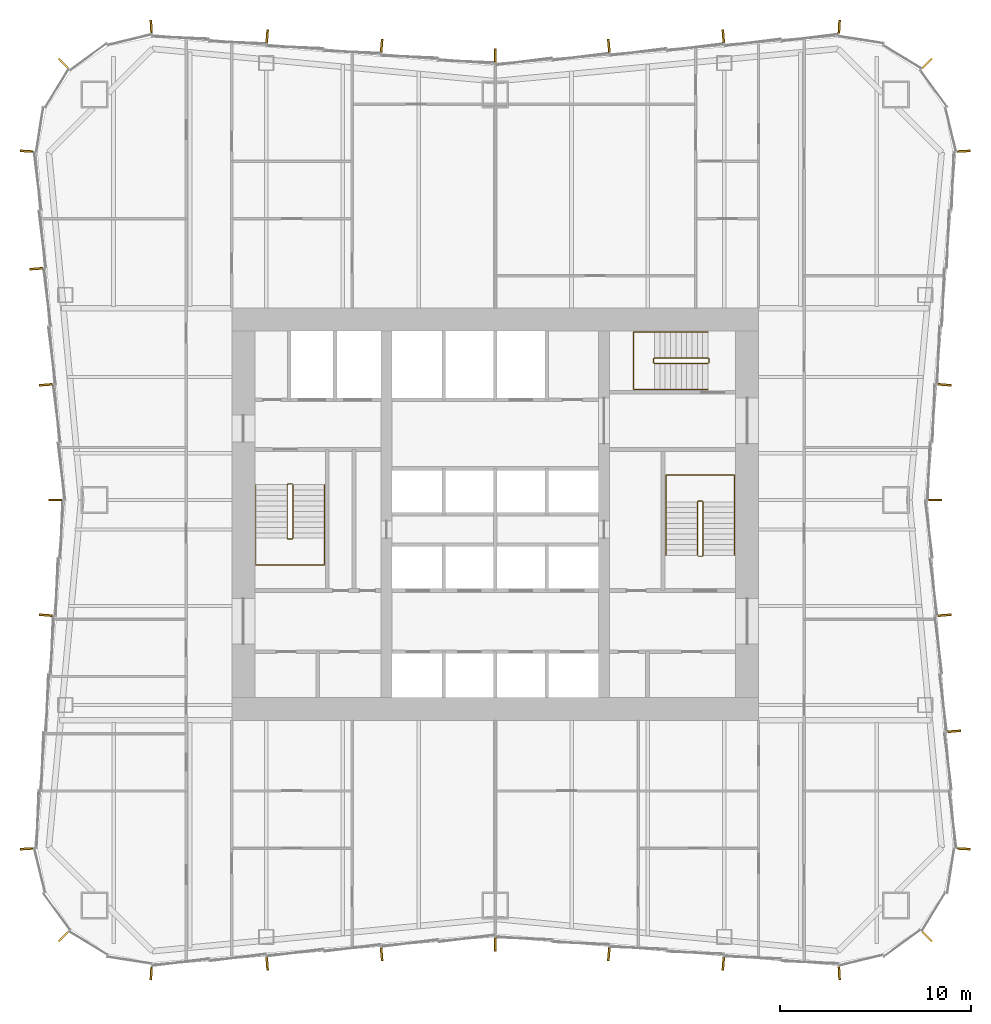
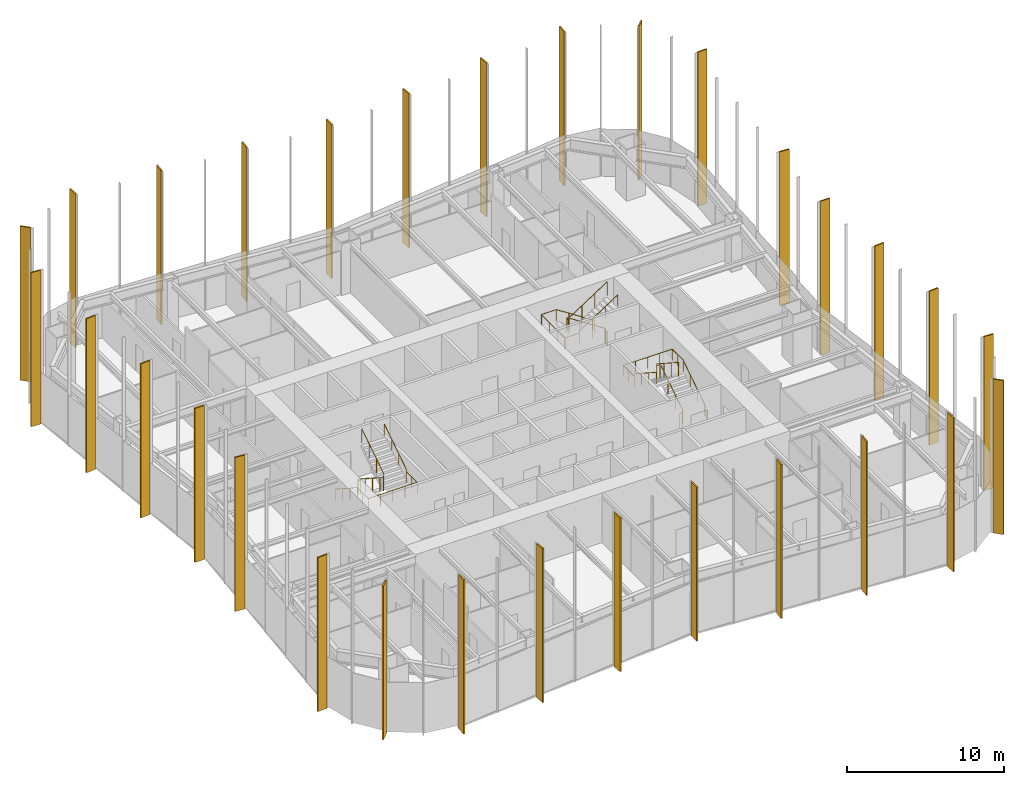
# One storey, part 13 of 13: 30 shading devices, 6 railings.
"""IFC4 building model written with IfcOpenShell, lengths in metres."""

from ifc_helpers import new_model, si_unit, direction, frame, origin, origin_2d, place, context, subcontext, project, spatial, rectangle, circle, extrude, material, layer, layer_set, type_object, element, save


model = new_model("IFC4")

# Units and contexts
model_context = context("Model", 3, precision=1e-05, world=origin(), true_north=direction((0.0, 1.0)))
body_context = subcontext(model_context, "Body", "Model", "MODEL_VIEW")
ifc_project = project(units=[si_unit("LENGTHUNIT", "METRE"), si_unit("AREAUNIT", "SQUARE_METRE"), si_unit("VOLUMEUNIT", "CUBIC_METRE"), si_unit("PLANEANGLEUNIT", "RADIAN"), si_unit("MASSUNIT", "GRAM", prefix="KILO")], contexts=[model_context])

# Site, building, storey
site_placement = place(None, origin())
site = spatial("IfcSite", under=ifc_project, at=site_placement, CompositionType="ELEMENT")
building_placement = place(site_placement, origin())
building = spatial("IfcBuilding", under=site, at=building_placement, Name="Verdant Reach Tower", CompositionType="ELEMENT")
storey_placement = place(building_placement, frame((0.0, 0.0, 94.0)))
storey = spatial("IfcBuildingStorey", under=building, at=storey_placement, Name="L21", CompositionType="ELEMENT", Elevation=94.0)

# Railings
ifc_material_1 = material(Name="Stainless steel", Category="steel")
railing_type_1 = type_object("IfcRailingType", Name="CO-GUARD", PredefinedType="GUARDRAIL", material=ifc_material_1)
railing_1_placement = place(storey_placement, frame((-10.64990234375, 29.60009765625, 0.0)))
element("IfcRailing", 1, at=railing_1_placement, inside=storey, type_object=railing_type_1, Name="L21 ST-1 stair guard 1", PredefinedType="GUARDRAIL", context=body_context, shape_type="SweptSolid", body=[
    extrude(circle(Radius=0.02392578125, at=origin_2d()), frame((0.0, 0.0, 1.076171875), z_axis=(-1.0, 0.0, 0.0), x_axis=(0.0, -1.0, 0.0)), (0.0, 0.0, 1.0), 0.2001953125),
    extrude(circle(Radius=0.02392578125, at=origin_2d()), frame((-0.2001953125, 0.0, 1.076171875), z_axis=(-0.25526617399, -0.256517478764, 0.932222056972), x_axis=(0.708833529934, -0.705375805398, 0.0)), (0.0, 0.0, 1.0), 0.195068359375),
    extrude(circle(Radius=0.02392578125, at=origin_2d()), frame((-0.25, -0.050048828125, 1.2578125), z_axis=(0.0, -0.838705829183, 0.544584733623), x_axis=(1.0, 0.0, 0.0)), (0.0, 0.0, 1.0), 3.338623046875),
    extrude(circle(Radius=0.02392578125, at=origin_2d()), frame((-0.25, -2.85009765625, 3.076171875), z_axis=(0.705375805398, -0.708833529934, 0.0), x_axis=(0.708833529934, 0.705375805398, 0.0)), (0.0, 0.0, 1.0), 0.070556640625),
    extrude(circle(Radius=0.02392578125, at=origin_2d()), frame((-0.2001953125, -2.900146484375, 3.076171875), z_axis=(1.0, 0.0, 0.0), x_axis=(0.0, 1.0, 0.0)), (0.0, 0.0, 1.0), 0.2001953125),
    extrude(circle(Radius=0.02392578125, at=origin_2d()), frame((0.0, -2.900146484375, 3.076171875), z_axis=(0.25526617399, 0.256517478764, 0.932222056972), x_axis=(-0.708833529934, 0.705375805398, 0.0)), (0.0, 0.0, 1.0), 0.195068359375),
    extrude(circle(Radius=0.02392578125, at=origin_2d()), frame((0.0498046875, -2.85009765625, 3.2578125), z_axis=(0.0, 0.838705829183, 0.544584733623), x_axis=(-1.0, 0.0, 0.0)), (0.0, 0.0, 1.0), 3.338623046875),
    extrude(circle(Radius=0.02099609375, at=origin_2d()), origin(), (0.0, 0.0, 1.0), 1.052001953125),
    extrude(circle(Radius=0.02099609375, at=origin_2d()), frame((-0.2001953125, 0.0, 0.0)), (0.0, 0.0, 1.0), 1.052001953125),
    extrude(circle(Radius=0.02099609375, at=origin_2d()), frame((-0.25, -0.050048828125, 0.181884765625)), (0.0, 0.0, 1.0), 1.052001953125),
    extrude(circle(Radius=0.02099609375, at=origin_2d()), frame((-0.25, -0.9833984375, 0.787841796875)), (0.0, 0.0, 1.0), 1.052001953125),
    extrude(circle(Radius=0.02099609375, at=origin_2d()), frame((-0.25, -1.916748046875, 1.39404296875)), (0.0, 0.0, 1.0), 1.052001953125),
    extrude(circle(Radius=0.02099609375, at=origin_2d()), frame((-0.25, -2.85009765625, 2.0)), (0.0, 0.0, 1.0), 1.052001953125),
    extrude(circle(Radius=0.02099609375, at=origin_2d()), frame((-0.2001953125, -2.900146484375, 2.0)), (0.0, 0.0, 1.0), 1.052001953125),
    extrude(circle(Radius=0.02099609375, at=origin_2d()), frame((0.0, -2.900146484375, 2.0)), (0.0, 0.0, 1.0), 1.052001953125),
    extrude(circle(Radius=0.02099609375, at=origin_2d()), frame((0.0498046875, -2.85009765625, 2.181884765625)), (0.0, 0.0, 1.0), 1.052001953125),
    extrude(circle(Radius=0.02099609375, at=origin_2d()), frame((0.0498046875, -1.916748046875, 2.787841796875)), (0.0, 0.0, 1.0), 1.052001953125),
    extrude(circle(Radius=0.02099609375, at=origin_2d()), frame((0.0498046875, -0.9833984375, 3.39404296875)), (0.0, 0.0, 1.0), 1.052001953125),
    extrude(circle(Radius=0.02099609375, at=origin_2d()), frame((0.0498046875, -0.050048828125, 4.0)), (0.0, 0.0, 1.0), 1.052001953125),
])
railing_2_placement = place(storey_placement, frame((10.64990234375, 25.800048828125, 0.0)))
element("IfcRailing", 2, at=railing_2_placement, inside=storey, type_object=railing_type_1, Name="L21 ST-2 stair guard 1", PredefinedType="GUARDRAIL", context=body_context, shape_type="SweptSolid", body=[
    extrude(circle(Radius=0.02392578125, at=origin_2d()), frame((0.0, 0.0, 1.076171875), z_axis=(1.0, 0.0, 0.0), x_axis=(0.0, 1.0, 0.0)), (0.0, 0.0, 1.0), 0.2001953125),
    extrude(circle(Radius=0.02392578125, at=origin_2d()), frame((0.2001953125, 0.0, 1.076171875), z_axis=(0.25526617399, 0.256517478764, 0.932222056972), x_axis=(-0.708833529934, 0.705375805398, 0.0)), (0.0, 0.0, 1.0), 0.195068359375),
    extrude(circle(Radius=0.02392578125, at=origin_2d()), frame((0.25, 0.050048828125, 1.2578125), z_axis=(0.0, 0.83868413941, 0.544618136222), x_axis=(-1.0, 0.0, 0.0)), (0.0, 0.0, 1.0), 3.33837890625),
    extrude(circle(Radius=0.02392578125, at=origin_2d()), frame((0.25, 2.849853515625, 3.076171875), z_axis=(-0.705375805398, 0.708833529934, 0.0), x_axis=(-0.708833529934, -0.705375805398, 0.0)), (0.0, 0.0, 1.0), 0.070556640625),
    extrude(circle(Radius=0.02392578125, at=origin_2d()), frame((0.2001953125, 2.89990234375, 3.076171875), z_axis=(-1.0, 0.0, 0.0), x_axis=(0.0, -1.0, 0.0)), (0.0, 0.0, 1.0), 0.2001953125),
    extrude(circle(Radius=0.02392578125, at=origin_2d()), frame((0.0, 2.89990234375, 3.076171875), z_axis=(-0.25526617399, -0.256517478764, 0.932222056972), x_axis=(0.708833529934, -0.705375805398, 0.0)), (0.0, 0.0, 1.0), 0.195068359375),
    extrude(circle(Radius=0.02392578125, at=origin_2d()), frame((-0.0498046875, 2.849853515625, 3.2578125), z_axis=(0.0, -0.83868413941, 0.544618136222), x_axis=(1.0, 0.0, 0.0)), (0.0, 0.0, 1.0), 3.33837890625),
    extrude(circle(Radius=0.02099609375, at=origin_2d()), origin(), (0.0, 0.0, 1.0), 1.052001953125),
    extrude(circle(Radius=0.02099609375, at=origin_2d()), frame((0.2001953125, 0.0, 0.0)), (0.0, 0.0, 1.0), 1.052001953125),
    extrude(circle(Radius=0.02099609375, at=origin_2d()), frame((0.25, 0.050048828125, 0.181884765625)), (0.0, 0.0, 1.0), 1.052001953125),
    extrude(circle(Radius=0.02099609375, at=origin_2d()), frame((0.25, 0.9833984375, 0.787841796875)), (0.0, 0.0, 1.0), 1.052001953125),
    extrude(circle(Radius=0.02099609375, at=origin_2d()), frame((0.25, 1.91650390625, 1.39404296875)), (0.0, 0.0, 1.0), 1.052001953125),
    extrude(circle(Radius=0.02099609375, at=origin_2d()), frame((0.25, 2.849853515625, 2.0)), (0.0, 0.0, 1.0), 1.052001953125),
    extrude(circle(Radius=0.02099609375, at=origin_2d()), frame((0.2001953125, 2.89990234375, 2.0)), (0.0, 0.0, 1.0), 1.052001953125),
    extrude(circle(Radius=0.02099609375, at=origin_2d()), frame((0.0, 2.89990234375, 2.0)), (0.0, 0.0, 1.0), 1.052001953125),
    extrude(circle(Radius=0.02099609375, at=origin_2d()), frame((-0.0498046875, 2.849853515625, 2.181884765625)), (0.0, 0.0, 1.0), 1.052001953125),
    extrude(circle(Radius=0.02099609375, at=origin_2d()), frame((-0.0498046875, 1.91650390625, 2.787841796875)), (0.0, 0.0, 1.0), 1.052001953125),
    extrude(circle(Radius=0.02099609375, at=origin_2d()), frame((-0.0498046875, 0.9833984375, 3.39404296875)), (0.0, 0.0, 1.0), 1.052001953125),
    extrude(circle(Radius=0.02099609375, at=origin_2d()), frame((-0.0498046875, 0.050048828125, 4.0)), (0.0, 0.0, 1.0), 1.052001953125),
])
railing_3_placement = place(storey_placement, frame((11.199951171875, 35.949951171875, 0.0)))
element("IfcRailing", 3, at=railing_3_placement, inside=storey, type_object=railing_type_1, Name="L21 ST-3 stair guard 1", PredefinedType="GUARDRAIL", context=body_context, shape_type="SweptSolid", body=[
    extrude(circle(Radius=0.02392578125, at=origin_2d()), frame((0.0, 0.0, 1.076171875), z_axis=(0.0, 1.0, 0.0), x_axis=(-1.0, 0.0, 0.0)), (0.0, 0.0, 1.0), 0.199951171875),
    extrude(circle(Radius=0.02392578125, at=origin_2d()), frame((0.0, 0.199951171875, 1.076171875), z_axis=(-0.256435381639, 0.256435381639, 0.931923704005), x_axis=(-0.707106781187, -0.707106781187, 0.0)), (0.0, 0.0, 1.0), 0.195068359375),
    extrude(circle(Radius=0.02392578125, at=origin_2d()), frame((-0.050048828125, 0.25, 1.2578125), z_axis=(-0.83868413941, 0.0, 0.544618136222), x_axis=(0.0, -1.0, 0.0)), (0.0, 0.0, 1.0), 3.33837890625),
    extrude(circle(Radius=0.02392578125, at=origin_2d()), frame((-2.849853515625, 0.25, 3.076171875), z_axis=(-0.707106781187, -0.707106781187, 0.0), x_axis=(0.707106781187, -0.707106781187, 0.0)), (0.0, 0.0, 1.0), 0.07080078125),
    extrude(circle(Radius=0.02392578125, at=origin_2d()), frame((-2.89990234375, 0.199951171875, 3.076171875), z_axis=(0.0, -1.0, 0.0), x_axis=(1.0, 0.0, 0.0)), (0.0, 0.0, 1.0), 0.199951171875),
    extrude(circle(Radius=0.02392578125, at=origin_2d()), frame((-2.89990234375, 0.0, 3.076171875), z_axis=(0.256435381639, -0.256435381639, 0.931923704005), x_axis=(0.707106781187, 0.707106781187, 0.0)), (0.0, 0.0, 1.0), 0.195068359375),
    extrude(circle(Radius=0.02392578125, at=origin_2d()), frame((-2.849853515625, -0.050048828125, 3.2578125), z_axis=(0.83868413941, 0.0, 0.544618136222), x_axis=(0.0, 1.0, 0.0)), (0.0, 0.0, 1.0), 3.33837890625),
    extrude(circle(Radius=0.02099609375, at=origin_2d()), origin(), (0.0, 0.0, 1.0), 1.052001953125),
    extrude(circle(Radius=0.02099609375, at=origin_2d()), frame((0.0, 0.199951171875, 0.0)), (0.0, 0.0, 1.0), 1.052001953125),
    extrude(circle(Radius=0.02099609375, at=origin_2d()), frame((-0.050048828125, 0.25, 0.181884765625)), (0.0, 0.0, 1.0), 1.052001953125),
    extrude(circle(Radius=0.02099609375, at=origin_2d()), frame((-0.9833984375, 0.25, 0.787841796875)), (0.0, 0.0, 1.0), 1.052001953125),
    extrude(circle(Radius=0.02099609375, at=origin_2d()), frame((-1.91650390625, 0.25, 1.39404296875)), (0.0, 0.0, 1.0), 1.052001953125),
    extrude(circle(Radius=0.02099609375, at=origin_2d()), frame((-2.849853515625, 0.25, 2.0)), (0.0, 0.0, 1.0), 1.052001953125),
    extrude(circle(Radius=0.02099609375, at=origin_2d()), frame((-2.89990234375, 0.199951171875, 2.0)), (0.0, 0.0, 1.0), 1.052001953125),
    extrude(circle(Radius=0.02099609375, at=origin_2d()), frame((-2.89990234375, 0.0, 2.0)), (0.0, 0.0, 1.0), 1.052001953125),
    extrude(circle(Radius=0.02099609375, at=origin_2d()), frame((-2.849853515625, -0.050048828125, 2.181884765625)), (0.0, 0.0, 1.0), 1.052001953125),
    extrude(circle(Radius=0.02099609375, at=origin_2d()), frame((-1.91650390625, -0.050048828125, 2.787841796875)), (0.0, 0.0, 1.0), 1.052001953125),
    extrude(circle(Radius=0.02099609375, at=origin_2d()), frame((-0.9833984375, -0.050048828125, 3.39404296875)), (0.0, 0.0, 1.0), 1.052001953125),
    extrude(circle(Radius=0.02099609375, at=origin_2d()), frame((-0.050048828125, -0.050048828125, 4.0)), (0.0, 0.0, 1.0), 1.052001953125),
])
railing_type_2 = type_object("IfcRailingType", Name="CO-HANDRAIL", PredefinedType="HANDRAIL", material=ifc_material_1)
railing_4_placement = place(storey_placement, frame((-12.550048828125, 29.550048828125, 0.181884765625)))
element("IfcRailing", 4, at=railing_4_placement, inside=storey, type_object=railing_type_2, Name="L21 ST-1 stair handrail 1", PredefinedType="HANDRAIL", context=body_context, shape_type="SweptSolid", body=[
    extrude(circle(Radius=0.02392578125, at=origin_2d()), frame((0.0, 0.0, 0.8759765625), z_axis=(0.0, -0.838705829183, 0.544584733623), x_axis=(1.0, 0.0, 0.0)), (0.0, 0.0, 1.0), 3.338623046875),
    extrude(circle(Radius=0.02392578125, at=origin_2d()), frame((0.0, -2.800048828125, 2.69384765625), z_axis=(0.0, -1.0, 0.0), x_axis=(1.0, 0.0, 0.0)), (0.0, 0.0, 1.0), 1.39990234375),
    extrude(circle(Radius=0.02392578125, at=origin_2d()), frame((0.0, -4.199951171875, 2.69384765625), z_axis=(1.0, 0.0, 0.0), x_axis=(0.0, 1.0, 0.0)), (0.0, 0.0, 1.0), 3.60009765625),
    extrude(circle(Radius=0.02392578125, at=origin_2d()), frame((3.60009765625, -4.199951171875, 2.69384765625), z_axis=(0.0, 1.0, 0.0), x_axis=(-1.0, 0.0, 0.0)), (0.0, 0.0, 1.0), 1.39990234375),
    extrude(circle(Radius=0.02392578125, at=origin_2d()), frame((3.60009765625, -2.800048828125, 2.69384765625), z_axis=(0.0, 0.0, 1.0), x_axis=(1.0, 0.0, 0.0)), (0.0, 0.0, 1.0), 0.181884765625),
    extrude(circle(Radius=0.02392578125, at=origin_2d()), frame((3.60009765625, -2.800048828125, 2.8759765625), z_axis=(0.0, 0.838705829183, 0.544584733623), x_axis=(-1.0, 0.0, 0.0)), (0.0, 0.0, 1.0), 3.338623046875),
    extrude(circle(Radius=0.02099609375, at=origin_2d()), origin(), (0.0, 0.0, 1.0), 0.851806640625),
    extrude(circle(Radius=0.02099609375, at=origin_2d()), frame((0.0, -0.933349609375, 0.60595703125)), (0.0, 0.0, 1.0), 0.851806640625),
    extrude(circle(Radius=0.02099609375, at=origin_2d()), frame((0.0, -1.86669921875, 1.212158203125)), (0.0, 0.0, 1.0), 0.851806640625),
    extrude(circle(Radius=0.02099609375, at=origin_2d()), frame((0.0, -2.800048828125, 1.818115234375)), (0.0, 0.0, 1.0), 0.851806640625),
    extrude(circle(Radius=0.02099609375, at=origin_2d()), frame((0.0, -3.5, 1.818115234375)), (0.0, 0.0, 1.0), 0.851806640625),
    extrude(circle(Radius=0.02099609375, at=origin_2d()), frame((0.0, -4.199951171875, 1.818115234375)), (0.0, 0.0, 1.0), 0.851806640625),
    extrude(circle(Radius=0.02099609375, at=origin_2d()), frame((0.89990234375, -4.199951171875, 1.818115234375)), (0.0, 0.0, 1.0), 0.851806640625),
    extrude(circle(Radius=0.02099609375, at=origin_2d()), frame((1.800048828125, -4.199951171875, 1.818115234375)), (0.0, 0.0, 1.0), 0.851806640625),
    extrude(circle(Radius=0.02099609375, at=origin_2d()), frame((2.7001953125, -4.199951171875, 1.818115234375)), (0.0, 0.0, 1.0), 0.851806640625),
    extrude(circle(Radius=0.02099609375, at=origin_2d()), frame((3.60009765625, -4.199951171875, 1.818115234375)), (0.0, 0.0, 1.0), 0.851806640625),
    extrude(circle(Radius=0.02099609375, at=origin_2d()), frame((3.60009765625, -3.5, 1.818115234375)), (0.0, 0.0, 1.0), 0.851806640625),
    extrude(circle(Radius=0.02099609375, at=origin_2d()), frame((3.60009765625, -2.800048828125, 1.818115234375)), (0.0, 0.0, 1.0), 0.851806640625),
    extrude(circle(Radius=0.02099609375, at=origin_2d()), frame((3.60009765625, -2.800048828125, 2.0)), (0.0, 0.0, 1.0), 0.851806640625),
    extrude(circle(Radius=0.02099609375, at=origin_2d()), frame((3.60009765625, -1.86669921875, 2.60595703125)), (0.0, 0.0, 1.0), 0.851806640625),
    extrude(circle(Radius=0.02099609375, at=origin_2d()), frame((3.60009765625, -0.933349609375, 3.212158203125)), (0.0, 0.0, 1.0), 0.851806640625),
    extrude(circle(Radius=0.02099609375, at=origin_2d()), frame((3.60009765625, 0.0, 3.818115234375)), (0.0, 0.0, 1.0), 0.851806640625),
])
railing_5_placement = place(storey_placement, frame((12.550048828125, 25.85009765625, 0.181884765625)))
element("IfcRailing", 5, at=railing_5_placement, inside=storey, type_object=railing_type_2, Name="L21 ST-2 stair handrail 1", PredefinedType="HANDRAIL", context=body_context, shape_type="SweptSolid", body=[
    extrude(circle(Radius=0.02392578125, at=origin_2d()), frame((0.0, 0.0, 0.8759765625), z_axis=(0.0, 0.83868413941, 0.544618136222), x_axis=(-1.0, 0.0, 0.0)), (0.0, 0.0, 1.0), 3.33837890625),
    extrude(circle(Radius=0.02392578125, at=origin_2d()), frame((0.0, 2.7998046875, 2.69384765625), z_axis=(0.0, 1.0, 0.0), x_axis=(-1.0, 0.0, 0.0)), (0.0, 0.0, 1.0), 1.400146484375),
    extrude(circle(Radius=0.02392578125, at=origin_2d()), frame((0.0, 4.199951171875, 2.69384765625), z_axis=(-1.0, 0.0, 0.0), x_axis=(0.0, -1.0, 0.0)), (0.0, 0.0, 1.0), 3.60009765625),
    extrude(circle(Radius=0.02392578125, at=origin_2d()), frame((-3.60009765625, 4.199951171875, 2.69384765625), z_axis=(0.0, -1.0, 0.0), x_axis=(1.0, 0.0, 0.0)), (0.0, 0.0, 1.0), 1.400146484375),
    extrude(circle(Radius=0.02392578125, at=origin_2d()), frame((-3.60009765625, 2.7998046875, 2.69384765625), z_axis=(0.0, 0.0, 1.0), x_axis=(1.0, 0.0, 0.0)), (0.0, 0.0, 1.0), 0.181884765625),
    extrude(circle(Radius=0.02392578125, at=origin_2d()), frame((-3.60009765625, 2.7998046875, 2.8759765625), z_axis=(0.0, -0.83868413941, 0.544618136222), x_axis=(1.0, 0.0, 0.0)), (0.0, 0.0, 1.0), 3.33837890625),
    extrude(circle(Radius=0.02099609375, at=origin_2d()), origin(), (0.0, 0.0, 1.0), 0.851806640625),
    extrude(circle(Radius=0.02099609375, at=origin_2d()), frame((0.0, 0.933349609375, 0.60595703125)), (0.0, 0.0, 1.0), 0.851806640625),
    extrude(circle(Radius=0.02099609375, at=origin_2d()), frame((0.0, 1.866455078125, 1.212158203125)), (0.0, 0.0, 1.0), 0.851806640625),
    extrude(circle(Radius=0.02099609375, at=origin_2d()), frame((0.0, 2.7998046875, 1.818115234375)), (0.0, 0.0, 1.0), 0.851806640625),
    extrude(circle(Radius=0.02099609375, at=origin_2d()), frame((0.0, 3.5, 1.818115234375)), (0.0, 0.0, 1.0), 0.851806640625),
    extrude(circle(Radius=0.02099609375, at=origin_2d()), frame((0.0, 4.199951171875, 1.818115234375)), (0.0, 0.0, 1.0), 0.851806640625),
    extrude(circle(Radius=0.02099609375, at=origin_2d()), frame((-0.89990234375, 4.199951171875, 1.818115234375)), (0.0, 0.0, 1.0), 0.851806640625),
    extrude(circle(Radius=0.02099609375, at=origin_2d()), frame((-1.800048828125, 4.199951171875, 1.818115234375)), (0.0, 0.0, 1.0), 0.851806640625),
    extrude(circle(Radius=0.02099609375, at=origin_2d()), frame((-2.7001953125, 4.199951171875, 1.818115234375)), (0.0, 0.0, 1.0), 0.851806640625),
    extrude(circle(Radius=0.02099609375, at=origin_2d()), frame((-3.60009765625, 4.199951171875, 1.818115234375)), (0.0, 0.0, 1.0), 0.851806640625),
    extrude(circle(Radius=0.02099609375, at=origin_2d()), frame((-3.60009765625, 3.5, 1.818115234375)), (0.0, 0.0, 1.0), 0.851806640625),
    extrude(circle(Radius=0.02099609375, at=origin_2d()), frame((-3.60009765625, 2.7998046875, 1.818115234375)), (0.0, 0.0, 1.0), 0.851806640625),
    extrude(circle(Radius=0.02099609375, at=origin_2d()), frame((-3.60009765625, 2.7998046875, 2.0)), (0.0, 0.0, 1.0), 0.851806640625),
    extrude(circle(Radius=0.02099609375, at=origin_2d()), frame((-3.60009765625, 1.866455078125, 2.60595703125)), (0.0, 0.0, 1.0), 0.851806640625),
    extrude(circle(Radius=0.02099609375, at=origin_2d()), frame((-3.60009765625, 0.933349609375, 3.212158203125)), (0.0, 0.0, 1.0), 0.851806640625),
    extrude(circle(Radius=0.02099609375, at=origin_2d()), frame((-3.60009765625, 0.0, 3.818115234375)), (0.0, 0.0, 1.0), 0.851806640625),
])
railing_6_placement = place(storey_placement, frame((11.14990234375, 37.550048828125, 0.181884765625)))
element("IfcRailing", 6, at=railing_6_placement, inside=storey, type_object=railing_type_2, Name="L21 ST-3 stair handrail 1", PredefinedType="HANDRAIL", context=body_context, shape_type="SweptSolid", body=[
    extrude(circle(Radius=0.02392578125, at=origin_2d()), frame((0.0, 0.0, 0.8759765625), z_axis=(-0.83868413941, 0.0, 0.544618136222), x_axis=(0.0, -1.0, 0.0)), (0.0, 0.0, 1.0), 3.33837890625),
    extrude(circle(Radius=0.02392578125, at=origin_2d()), frame((-2.7998046875, 0.0, 2.69384765625), z_axis=(-1.0, 0.0, 0.0), x_axis=(0.0, -1.0, 0.0)), (0.0, 0.0, 1.0), 1.10009765625),
    extrude(circle(Radius=0.02392578125, at=origin_2d()), frame((-3.89990234375, 0.0, 2.69384765625), z_axis=(0.0, -1.0, 0.0), x_axis=(1.0, 0.0, 0.0)), (0.0, 0.0, 1.0), 3.0),
    extrude(circle(Radius=0.02392578125, at=origin_2d()), frame((-3.89990234375, -3.0, 2.69384765625), z_axis=(1.0, 0.0, 0.0), x_axis=(0.0, 1.0, 0.0)), (0.0, 0.0, 1.0), 1.10009765625),
    extrude(circle(Radius=0.02392578125, at=origin_2d()), frame((-2.7998046875, -3.0, 2.69384765625), z_axis=(0.0, 0.0, 1.0), x_axis=(1.0, 0.0, 0.0)), (0.0, 0.0, 1.0), 0.181884765625),
    extrude(circle(Radius=0.02392578125, at=origin_2d()), frame((-2.7998046875, -3.0, 2.8759765625), z_axis=(0.83868413941, 0.0, 0.544618136222), x_axis=(0.0, 1.0, 0.0)), (0.0, 0.0, 1.0), 3.33837890625),
    extrude(circle(Radius=0.02099609375, at=origin_2d()), origin(), (0.0, 0.0, 1.0), 0.851806640625),
    extrude(circle(Radius=0.02099609375, at=origin_2d()), frame((-0.933349609375, 0.0, 0.60595703125)), (0.0, 0.0, 1.0), 0.851806640625),
    extrude(circle(Radius=0.02099609375, at=origin_2d()), frame((-1.866455078125, 0.0, 1.212158203125)), (0.0, 0.0, 1.0), 0.851806640625),
    extrude(circle(Radius=0.02099609375, at=origin_2d()), frame((-2.7998046875, 0.0, 1.818115234375)), (0.0, 0.0, 1.0), 0.851806640625),
    extrude(circle(Radius=0.02099609375, at=origin_2d()), frame((-3.89990234375, 0.0, 1.818115234375)), (0.0, 0.0, 1.0), 0.851806640625),
    extrude(circle(Radius=0.02099609375, at=origin_2d()), frame((-3.89990234375, -1.0, 1.818115234375)), (0.0, 0.0, 1.0), 0.851806640625),
    extrude(circle(Radius=0.02099609375, at=origin_2d()), frame((-3.89990234375, -2.0, 1.818115234375)), (0.0, 0.0, 1.0), 0.851806640625),
    extrude(circle(Radius=0.02099609375, at=origin_2d()), frame((-3.89990234375, -3.0, 1.818115234375)), (0.0, 0.0, 1.0), 0.851806640625),
    extrude(circle(Radius=0.02099609375, at=origin_2d()), frame((-2.7998046875, -3.0, 1.818115234375)), (0.0, 0.0, 1.0), 0.851806640625),
    extrude(circle(Radius=0.02099609375, at=origin_2d()), frame((-2.7998046875, -3.0, 2.0)), (0.0, 0.0, 1.0), 0.851806640625),
    extrude(circle(Radius=0.02099609375, at=origin_2d()), frame((-1.866455078125, -3.0, 2.60595703125)), (0.0, 0.0, 1.0), 0.851806640625),
    extrude(circle(Radius=0.02099609375, at=origin_2d()), frame((-0.933349609375, -3.0, 3.212158203125)), (0.0, 0.0, 1.0), 0.851806640625),
    extrude(circle(Radius=0.02099609375, at=origin_2d()), frame((0.0, -3.0, 3.818115234375)), (0.0, 0.0, 1.0), 0.851806640625),
])

# Shading devices
ifc_material_2 = material(Name="Bronze fin, champagne", Category="aluminium")
ifc_layer_1 = layer(ifc_material_2, 0.10009765625)
ifc_layer_set_1 = layer_set([ifc_layer_1], Name="EN-FIN CHAMPAGNE")
shading_device_type_1 = type_object("IfcShadingDeviceType", Name="EN-FIN CHAMPAGNE", PredefinedType="USERDEFINED", material=ifc_layer_set_1)
for number, where, z_axis, x_axis, name in (
    (7, (23.55419921875, 22.712158203125, -0.35009765625), (0.0, 0.0, 1.0), (-0.081915556724, 0.996639273542, 0.0), "Fin east face part 1 5, L21"),
    (8, (11.953857421875, 53.05419921875, -0.35009765625), (0.0, 0.0, 1.0), (-0.996545758244, -0.083045479859, 0.0), "Fin north face part 1 3, L21"),
    (9, (-11.953857421875, 53.05419921875, -0.35009765625), (0.0, 0.0, 1.0), (-0.996545758244, 0.083045479859, 0.0), "Fin north face part 2 5, L21"),
    (10, (-22.6357421875, 51.6357421875, -0.35009765625), (0.0, 0.0, 1.0), (-0.707106781187, -0.707106781187, 0.0), "Fin north-west corner 3, L21"),
    (11, (-24.55517578125, 47.03173828125, -0.35009765625), (0.0, 0.0, 1.0), (-0.057135164055, -0.998366452275, 0.0), "Fin west face part 1 1, L21"),
    (12, (-23.55419921875, 22.712158203125, -0.35009765625), (0.0, 0.0, 1.0), (-0.081915556724, -0.996639273542, 0.0), "Fin west face part 2 3, L21"),
    (13, (-24.55517578125, 10.46826171875, -0.35009765625), (0.0, 0.0, 1.0), (0.057135164055, -0.998366452275, 0.0), "Fin south-west corner 1, L21"),
    (14, (0.0, 5.444091796875, -0.35009765625), (0.0, 0.0, 1.0), (1.0, 0.0, 0.0), "Fin south face part 2 1, L21"),
):
    element("IfcShadingDevice", number, at=place(storey_placement, frame(where, z_axis=z_axis, x_axis=x_axis)), inside=storey, type_object=shading_device_type_1, Name=name, ObjectType="FIN", PredefinedType="USERDEFINED", context=body_context, shape_type="SweptSolid", body=[
        extrude(rectangle(XDim=0.10009765625, YDim=0.699951171875, at=origin_2d()), origin(), (0.0, 0.0, 1.0), 12.0),
    ])
ifc_material_3 = material(Name="Bronze fin, copper", Category="aluminium")
ifc_layer_2 = layer(ifc_material_3, 0.10009765625)
ifc_layer_set_2 = layer_set([ifc_layer_2], Name="EN-FIN COPPER")
shading_device_type_2 = type_object("IfcShadingDeviceType", Name="EN-FIN COPPER", PredefinedType="USERDEFINED", material=ifc_layer_set_2)
for number, where, z_axis, x_axis, name in (
    (15, (18.031494140625, 3.94482421875, -0.35009765625), (0.0, 0.0, 1.0), (0.998398681387, 0.056569187765, 0.0), "Fin south-east corner 1, L21"),
    (16, (22.6357421875, 5.8642578125, -0.35009765625), (0.0, 0.0, 1.0), (0.707106781187, 0.707106781187, 0.0), "Fin south-east corner 3, L21"),
    (17, (24.55517578125, 10.46826171875, -0.35009765625), (0.0, 0.0, 1.0), (0.057135164055, 0.998366452275, 0.0), "Fin east face part 1 1, L21"),
    (18, (23.055908203125, 28.75, -0.35009765625), (0.0, 0.0, 1.0), (0.0, 1.0, 0.0), "Fin east face part 2 1, L21"),
    (19, (24.55517578125, 47.03173828125, -0.35009765625), (0.0, 0.0, 1.0), (-0.057135164055, 0.998366452275, 0.0), "Fin north-east corner 1, L21"),
    (20, (5.953857421875, 52.55419921875, -0.35009765625), (0.0, 0.0, 1.0), (-0.996545758244, -0.083045479859, 0.0), "Fin north face part 1 5, L21"),
    (21, (0.0, 52.055908203125, -0.35009765625), (0.0, 0.0, 1.0), (-1.0, 0.0, 0.0), "Fin north face part 2 1, L21"),
    (22, (-24.05419921875, 40.87109375, -0.35009765625), (0.0, 0.0, 1.0), (0.081915556724, -0.996639273542, 0.0), "Fin west face part 1 3, L21"),
    (23, (-23.55419921875, 34.787841796875, -0.35009765625), (0.0, 0.0, 1.0), (0.081915556724, -0.996639273542, 0.0), "Fin west face part 1 5, L21"),
    (24, (-22.6357421875, 5.8642578125, -0.35009765625), (0.0, 0.0, 1.0), (0.707106781187, -0.707106781187, 0.0), "Fin south-west corner 3, L21"),
    (25, (-18.031494140625, 3.94482421875, -0.35009765625), (0.0, 0.0, 1.0), (0.998398681387, -0.056569187765, 0.0), "Fin south face part 1 1, L21"),
    (26, (-11.953857421875, 4.44580078125, -0.35009765625), (0.0, 0.0, 1.0), (0.996545758244, 0.083045479859, 0.0), "Fin south face part 1 3, L21"),
    (27, (5.953857421875, 4.94580078125, -0.35009765625), (0.0, 0.0, 1.0), (0.996545758244, -0.083045479859, 0.0), "Fin south face part 2 3, L21"),
):
    element("IfcShadingDevice", number, at=place(storey_placement, frame(where, z_axis=z_axis, x_axis=x_axis)), inside=storey, type_object=shading_device_type_2, Name=name, ObjectType="FIN", PredefinedType="USERDEFINED", context=body_context, shape_type="SweptSolid", body=[
        extrude(rectangle(XDim=0.10009765625, YDim=0.699951171875, at=origin_2d()), origin(), (0.0, 0.0, 1.0), 12.0),
    ])
ifc_material_4 = material(Name="Bronze fin, dark bronze", Category="aluminium")
ifc_layer_3 = layer(ifc_material_4, 0.10009765625)
ifc_layer_set_3 = layer_set([ifc_layer_3], Name="EN-FIN DARK")
shading_device_type_3 = type_object("IfcShadingDeviceType", Name="EN-FIN DARK", PredefinedType="USERDEFINED", material=ifc_layer_set_3)
for number, where, z_axis, x_axis, name in (
    (28, (24.05419921875, 16.62890625, -0.35009765625), (0.0, 0.0, 1.0), (-0.081915556724, 0.996639273542, 0.0), "Fin east face part 1 3, L21"),
    (29, (23.55419921875, 34.787841796875, -0.35009765625), (0.0, 0.0, 1.0), (0.081915556724, 0.996639273542, 0.0), "Fin east face part 2 3, L21"),
    (30, (22.6357421875, 51.6357421875, -0.35009765625), (0.0, 0.0, 1.0), (-0.707106781187, 0.707106781187, 0.0), "Fin north-east corner 3, L21"),
    (31, (18.031494140625, 53.55517578125, -0.35009765625), (0.0, 0.0, 1.0), (-0.998398681387, 0.056569187765, 0.0), "Fin north face part 1 1, L21"),
    (32, (-5.953857421875, 52.55419921875, -0.35009765625), (0.0, 0.0, 1.0), (-0.996545758244, 0.083045479859, 0.0), "Fin north face part 2 3, L21"),
    (33, (-18.031494140625, 53.55517578125, -0.35009765625), (0.0, 0.0, 1.0), (-0.998398681387, -0.056569187765, 0.0), "Fin north-west corner 1, L21"),
    (34, (-23.055908203125, 28.75, -0.35009765625), (0.0, 0.0, 1.0), (0.0, -1.0, 0.0), "Fin west face part 2 1, L21"),
    (35, (-5.953857421875, 4.94580078125, -0.35009765625), (0.0, 0.0, 1.0), (0.996545758244, 0.083045479859, 0.0), "Fin south face part 1 5, L21"),
    (36, (11.953857421875, 4.44580078125, -0.35009765625), (0.0, 0.0, 1.0), (0.996545758244, -0.083045479859, 0.0), "Fin south face part 2 5, L21"),
):
    element("IfcShadingDevice", number, at=place(storey_placement, frame(where, z_axis=z_axis, x_axis=x_axis)), inside=storey, type_object=shading_device_type_3, Name=name, ObjectType="FIN", PredefinedType="USERDEFINED", context=body_context, shape_type="SweptSolid", body=[
        extrude(rectangle(XDim=0.10009765625, YDim=0.699951171875, at=origin_2d()), origin(), (0.0, 0.0, 1.0), 12.0),
    ])

save(model, "model.ifc")
